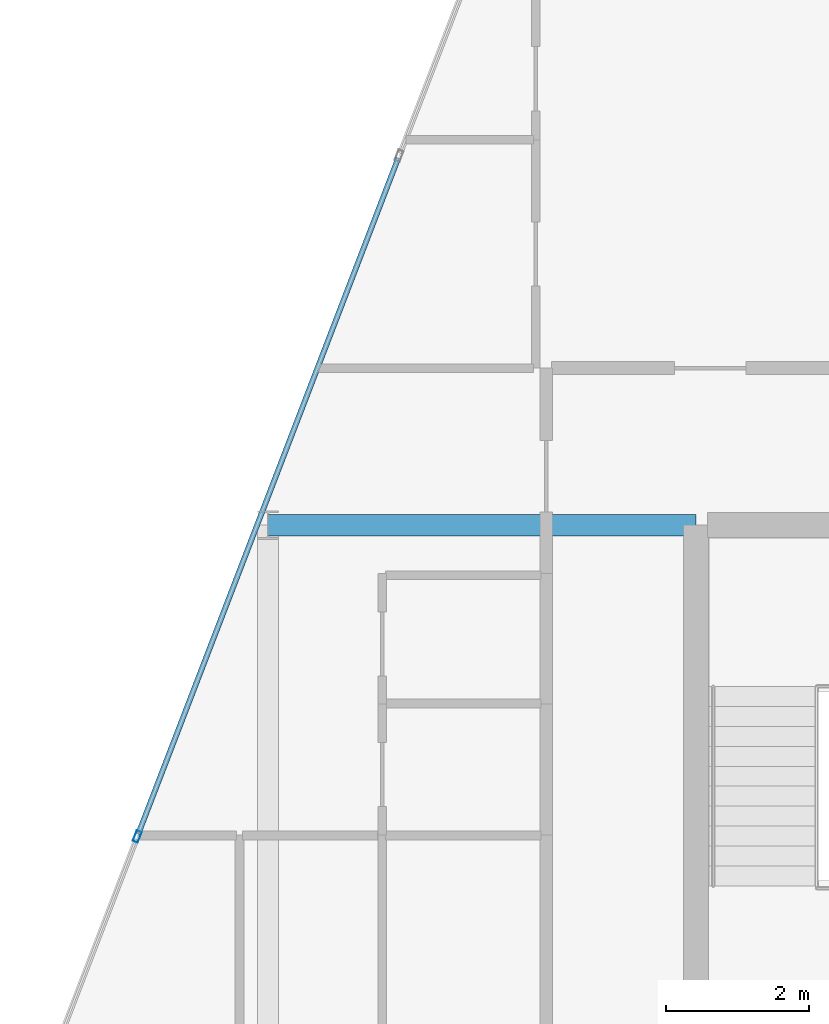
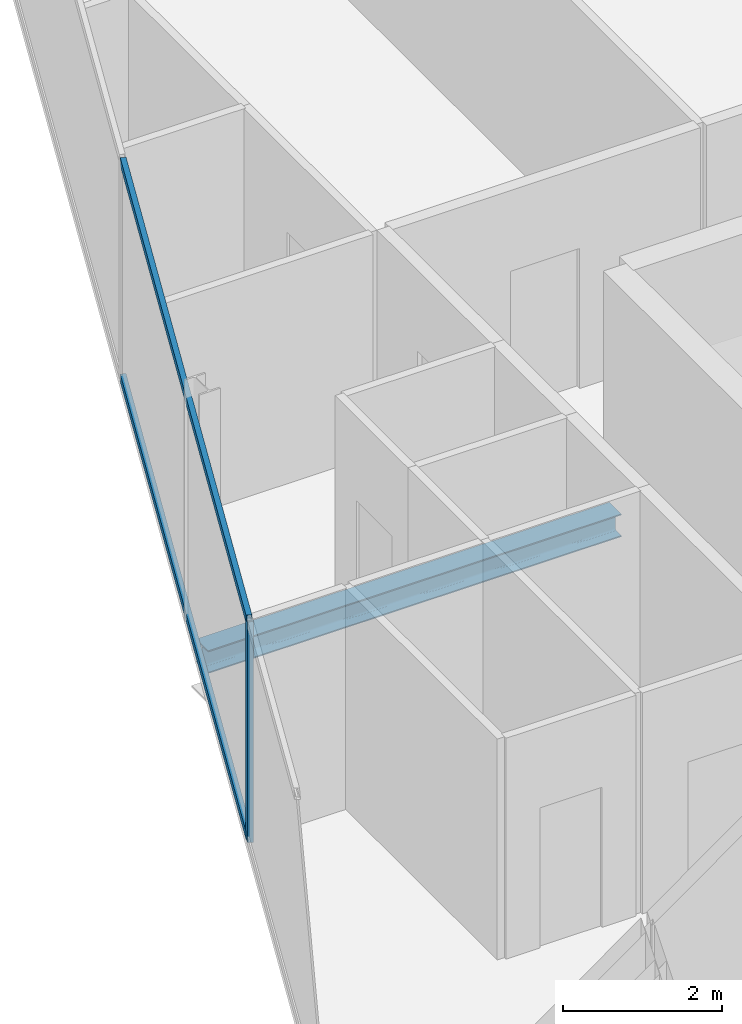
# One storey, part 10 of 27: 3 members, 1 beam, 1 element without a shape of its own.
"""IFC4 building model written with IfcOpenShell, lengths in metres."""

from ifc_helpers import new_model, si_unit, direction, frame, origin, origin_2d, place, context, subcontext, project, spatial, hollow_rectangle, i_section, extrude, material, layer, layer_set, material_profile, profile_set, type_object, element, aggregate, save


model = new_model("IFC4")

# Units and contexts
model_context = context("Model", 3, precision=1e-05, world=origin(), true_north=direction((0.0, 1.0)))
body_context = subcontext(model_context, "Body", "Model", "MODEL_VIEW")
ifc_project = project(units=[si_unit("LENGTHUNIT", "METRE"), si_unit("AREAUNIT", "SQUARE_METRE"), si_unit("VOLUMEUNIT", "CUBIC_METRE"), si_unit("PLANEANGLEUNIT", "RADIAN"), si_unit("MASSUNIT", "GRAM", prefix="KILO")], contexts=[model_context])

# Site, building, storey
site_placement = place(None, origin())
site = spatial("IfcSite", under=ifc_project, at=site_placement, CompositionType="ELEMENT")
building_placement = place(site_placement, origin())
building = spatial("IfcBuilding", under=site, at=building_placement, Name="Keshet Zoharim Tower", CompositionType="ELEMENT")
storey_placement = place(building_placement, frame((0.0, 0.0, 262.10009765625)))
storey = spatial("IfcBuildingStorey", under=building, at=storey_placement, Name="L65", CompositionType="ELEMENT", Elevation=262.10009765625)

# Beam
ifc_material_1 = material(Name="Steel S355", Category="steel")
ifc_material_profile_1 = material_profile(ifc_material_1, i_section(OverallWidth=0.300048828125, OverallDepth=0.35009765625, WebThickness=0.010009765625, FlangeThickness=0.017578125, FilletRadius=0.027099609375, at=origin_2d()), Name="HEA360")
ifc_profile_set_1 = profile_set([ifc_material_profile_1], Name="Steel S355")
beam_type = type_object("IfcBeamType", Name="BM-PRI-HA360", PredefinedType="BEAM", material=ifc_profile_set_1)
beam_placement = place(storey_placement, frame((9.0, 37.89990234375, -0.485107421875), z_axis=(1.0, 0.0, 0.0), x_axis=(0.0, 1.0, 0.0)))
element("IfcBeam", 1, at=beam_placement, inside=storey, type_object=beam_type, Name="L65 Primary Girder X-008", PredefinedType="BEAM", context=body_context, shape_type="SweptSolid", body=[
    extrude(i_section(OverallWidth=0.300048828125, OverallDepth=0.35009765625, WebThickness=0.010009765625, FlangeThickness=0.017578125, FilletRadius=0.027099609375, at=origin_2d()), origin(), (0.0, 0.0, 1.0), 6.0),
])

# Curtain wall, members
ifc_material_2 = material(Name="Aluminium 6063-T6", Category="aluminium")
ifc_layer = layer(ifc_material_2, 0.260009765625)
ifc_layer_set = layer_set([ifc_layer], Name="Aluminium 6063-T6")
curtain_wall_type = type_object("IfcCurtainWallType", Name="CW-SYS-06", PredefinedType="NOTDEFINED", material=ifc_layer_set)
curtain_wall_placement = place(storey_placement, origin())
curtain_wall = element("IfcCurtainWall", 2, at=curtain_wall_placement, inside=storey, type_object=curtain_wall_type, Name="L65 Unitised Curtain Wall 03", PredefinedType="NOTDEFINED")
ifc_material_profile_2 = material_profile(ifc_material_2, hollow_rectangle(XDim=0.074951171875, YDim=0.159912109375, WallThickness=0.00390625, at=origin_2d()), Name="MUL-75x160")
ifc_profile_set_2 = profile_set([ifc_material_profile_2], Name="Aluminium 6063-T6")
member_type_1 = type_object("IfcMemberType", Name="CWM-M15", PredefinedType="MULLION", material=ifc_profile_set_2)
member_1_placement = place(storey_placement, frame((7.1669921875, 33.53466796875, 0.0), z_axis=(0.0, 0.0, 1.0), x_axis=(-0.933341404361, 0.358990003907, 0.0)))
member_1 = element("IfcMember", 3, at=member_1_placement, type_object=member_type_1, Name="CW-06 mullion 2", PredefinedType="MULLION", context=body_context, shape_type="SweptSolid", body=[
    extrude(hollow_rectangle(XDim=0.074951171875, YDim=0.159912109375, WallThickness=0.00390625, at=origin_2d()), origin(), (0.0, 0.0, 1.0), 3.389892578125),
])
ifc_material_profile_3 = material_profile(ifc_material_2, hollow_rectangle(XDim=0.074951171875, YDim=0.1201171875, WallThickness=0.00390625, at=origin_2d()), Name="TRN-75x120")
ifc_profile_set_3 = profile_set([ifc_material_profile_3], Name="Aluminium 6063-T6")
member_type_2 = type_object("IfcMemberType", Name="CWT-T12", PredefinedType="USERDEFINED", material=ifc_profile_set_3)
member_2_placement = place(storey_placement, frame((7.179443359375, 33.5673828125, 0.034912109375), z_axis=(0.359003248899, 0.933336309848, 0.0), x_axis=(-0.933336309848, 0.359003248899, 0.0)))
member_2 = element("IfcMember", 4, at=member_2_placement, type_object=member_type_2, Name="CW-06 transom 2.1", ObjectType="TRANSOM", PredefinedType="USERDEFINED", context=body_context, shape_type="SweptSolid", body=[
    extrude(hollow_rectangle(XDim=0.074951171875, YDim=0.1201171875, WallThickness=0.00390625, at=origin_2d()), origin(), (0.0, 0.0, 1.0), 10.153076171875),
])
member_3_placement = place(storey_placement, frame((7.179443359375, 33.5673828125, 3.35498046875), z_axis=(0.359003248899, 0.933336309848, 0.0), x_axis=(-0.933336309848, 0.359003248899, 0.0)))
member_3 = element("IfcMember", 5, at=member_3_placement, type_object=member_type_2, Name="CW-06 transom 2.2", ObjectType="TRANSOM", PredefinedType="USERDEFINED", context=body_context, shape_type="SweptSolid", body=[
    extrude(hollow_rectangle(XDim=0.074951171875, YDim=0.1201171875, WallThickness=0.00390625, at=origin_2d()), origin(), (0.0, 0.0, 1.0), 10.153076171875),
])
aggregate(curtain_wall, [member_1, member_2, member_3])

save(model, "model.ifc")
